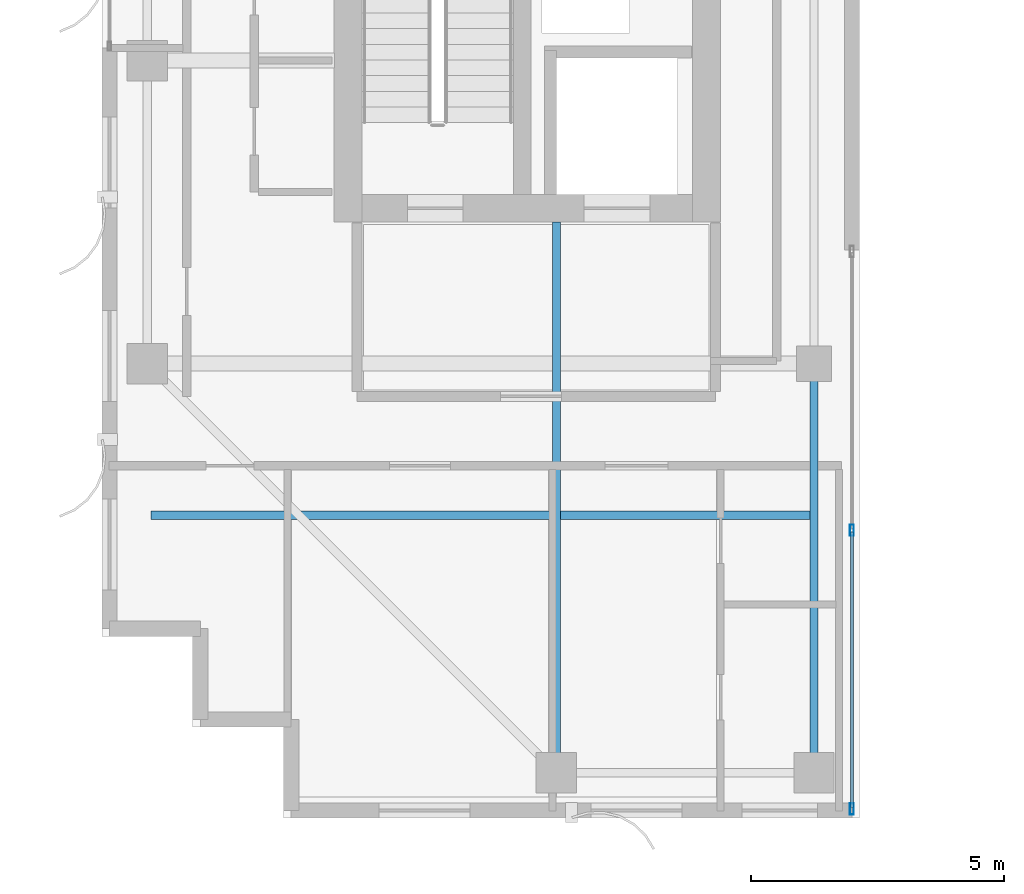
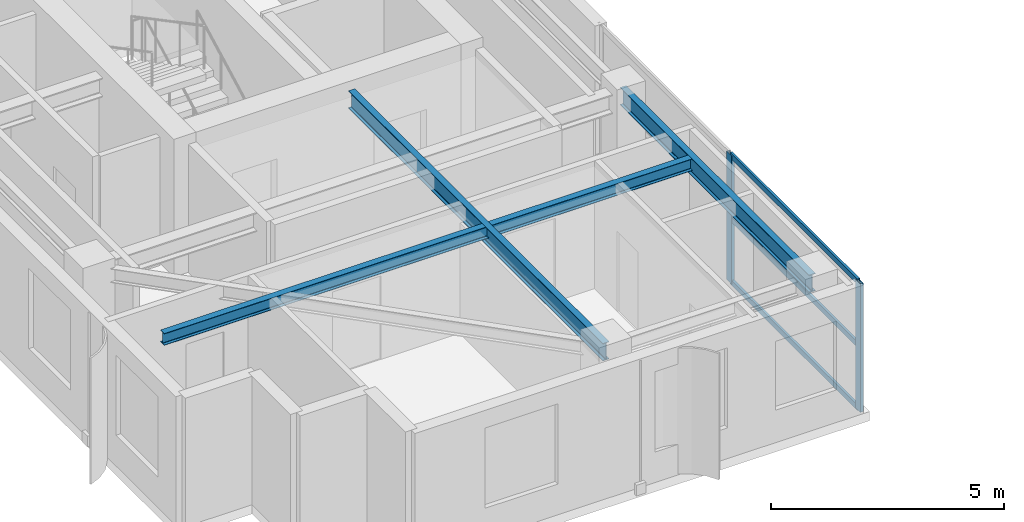
# One storey, part 2 of 24: 5 members, 3 beams, 1 element without a shape of its own.
"""IFC4 building model written with IfcOpenShell, lengths in metres."""

import ifcopenshell
import ifcopenshell.guid

model = None  # the IFC model being written
_history = None  # IfcOwnerHistory: only IFC2X3 demands one
_inside = {}  # id of a spatial element -> (the spatial element, [elements in it])
_under = {}  # id of a project, library or spatial element -> (it, [spatial elements below it])
_declared = {}  # id of a project -> (the project, [libraries it declares])
_typed = {}  # id of a type object -> (the type object, [elements of that type])
_made_of = {}  # id of a material, layer set ... -> (it, [elements and type objects made of it])


def new_model(schema):
    """Start an empty IFC model of exactly this schema.

    Asked for "IFC4X3", IfcOpenShell would pick the latest addendum, in which some entities
    have other attributes; the version numbers below select the first issue.
    IFC2X3 requires an IfcOwnerHistory on every rooted entity: one is made here for all.
    """
    global model, _history
    if schema == "IFC4X3":
        model = ifcopenshell.file(schema_version=(4, 3, 0, 0))
    else:
        model = ifcopenshell.file(schema=schema)
    _inside.clear()
    _under.clear()
    _declared.clear()
    _typed.clear()
    _made_of.clear()
    _history = None
    if model.schema == "IFC2X3":
        org = make("IfcOrganization", Name="unknown")
        user = make(
            "IfcPersonAndOrganization",
            ThePerson=make("IfcPerson", FamilyName="unknown"),
            TheOrganization=org,
        )
        app = make(
            "IfcApplication",
            ApplicationDeveloper=org,
            Version="unknown",
            ApplicationFullName="unknown",
            ApplicationIdentifier="unknown",
        )
        _history = make(
            "IfcOwnerHistory",
            OwningUser=user,
            OwningApplication=app,
            ChangeAction="ADDED",
            CreationDate=0,
        )
    return model


def make(cls, **values):
    """One entity of the class cls with the attributes given. An attribute that is None is left unset."""
    return model.create_entity(
        cls, **{name: value for name, value in values.items() if value is not None}
    )


def rooted(cls, **values):
    """An entity with a GlobalId (a new one), such as an element, a storey or a relation."""
    return make(cls, GlobalId=ifcopenshell.guid.new(), OwnerHistory=_history, **values)


def si_unit(unit_type, name, prefix=None):
    """IfcSIUnit, for example si_unit("LENGTHUNIT", "METRE", prefix="MILLI")."""
    return make("IfcSIUnit", UnitType=unit_type, Prefix=prefix, Name=name)


def assignment(units):
    """IfcUnitAssignment: the units of a project."""
    return None if units is None else make("IfcUnitAssignment", Units=units)


def point(xyz):
    """IfcCartesianPoint."""
    return None if xyz is None else make("IfcCartesianPoint", Coordinates=xyz)


def direction(xyz):
    """IfcDirection."""
    return None if xyz is None else make("IfcDirection", DirectionRatios=xyz)


def frame(location, z_axis=None, x_axis=None):
    """IfcAxis2Placement3D, a coordinate frame: its origin and axes. An axis left out is left unset."""
    return make(
        "IfcAxis2Placement3D",
        Location=point(location),
        Axis=direction(z_axis),
        RefDirection=direction(x_axis),
    )


def frame_2d(location, x_axis=None):
    """IfcAxis2Placement2D, a coordinate frame in the plane: its origin and x axis."""
    return make(
        "IfcAxis2Placement2D", Location=point(location), RefDirection=direction(x_axis)
    )


def origin():
    """The frame at (0, 0, 0) with its axes left unset."""
    return frame((0.0, 0.0, 0.0))


def origin_2d():
    """The frame at (0, 0) in the plane with its x axis left unset."""
    return frame_2d((0.0, 0.0))


def place(relative_to, where):
    """IfcLocalPlacement: puts the frame where relative to a parent placement (None: the world)."""
    return make(
        "IfcLocalPlacement", PlacementRelTo=relative_to, RelativePlacement=where
    )


def context(
    kind, dimensions, precision=None, world=None, true_north=None, identifier=None
):
    """IfcGeometricRepresentationContext, for example the 3D "Model" context."""
    return make(
        "IfcGeometricRepresentationContext",
        ContextIdentifier=identifier,
        ContextType=kind,
        CoordinateSpaceDimension=dimensions,
        Precision=precision,
        WorldCoordinateSystem=world,
        TrueNorth=true_north,
    )


def subcontext(parent, identifier, kind, view, scale=None):
    """IfcGeometricRepresentationSubContext, for example "Body" below "Model"."""
    return make(
        "IfcGeometricRepresentationSubContext",
        ContextIdentifier=identifier,
        ContextType=kind,
        ParentContext=parent,
        TargetScale=scale,
        TargetView=view,
    )


def project(units=None, contexts=None):
    """IfcProject with its units and contexts."""
    return rooted(
        "IfcProject",
        Name="project",
        RepresentationContexts=contexts,
        UnitsInContext=assignment(units),
    )


def spatial(cls, under=None, at=None, **own):
    """A site, building, storey or space (cls), placed at a placement, below another one or the project."""
    s = rooted(cls, ObjectPlacement=at, **own)
    if under is not None:
        _under.setdefault(under.id(), (under, []))[1].append(s)
    return s


def profile(cls, at=None, kind="AREA", **sizes):
    """A parametric profile (cls). Its sizes go by their IFC names, for example OverallWidth=200.0."""
    return make(cls, ProfileType=kind, Position=at, **sizes)


def hollow_rectangle(**sizes):
    """IfcRectangleHollowProfileDef."""
    return profile("IfcRectangleHollowProfileDef", **sizes)


def i_section(**sizes):
    """IfcIShapeProfileDef."""
    return profile("IfcIShapeProfileDef", **sizes)


def extrude(swept, where, along, depth):
    """IfcExtrudedAreaSolid: the profile swept, set in the frame where, extruded along a direction by depth."""
    return make(
        "IfcExtrudedAreaSolid",
        SweptArea=swept,
        Position=where,
        ExtrudedDirection=direction(along),
        Depth=depth,
    )


def shape(context_of_items, identifier, shape_type, items):
    """IfcShapeRepresentation: the items that make up one representation, for example the "Body"."""
    return make(
        "IfcShapeRepresentation",
        ContextOfItems=context_of_items,
        RepresentationIdentifier=identifier,
        RepresentationType=shape_type,
        Items=items,
    )


def source(mapping_origin, context_of_items, identifier, shape_type, items):
    """IfcRepresentationMap: a shape defined once, which mapped items show again and again."""
    return make(
        "IfcRepresentationMap",
        MappingOrigin=mapping_origin,
        MappedRepresentation=shape(context_of_items, identifier, shape_type, items),
    )


def transform(
    local_origin,
    x_axis=None,
    y_axis=None,
    z_axis=None,
    scale=None,
    scale2=None,
    scale3=None,
    uniform=True,
):
    """IfcCartesianTransformationOperator3D, or its non-uniform kind. x_axis, y_axis, z_axis: its Axis1, 2, 3."""
    if uniform:
        return make(
            "IfcCartesianTransformationOperator3D",
            Axis1=direction(x_axis),
            Axis2=direction(y_axis),
            LocalOrigin=point(local_origin),
            Scale=scale,
            Axis3=direction(z_axis),
        )
    return make(
        "IfcCartesianTransformationOperator3DnonUniform",
        Axis1=direction(x_axis),
        Axis2=direction(y_axis),
        LocalOrigin=point(local_origin),
        Scale=scale,
        Axis3=direction(z_axis),
        Scale2=scale2,
        Scale3=scale3,
    )


def mapped(mapping_source, mapping_target):
    """IfcMappedItem: shows the shape of a source again, moved by a transform."""
    return make(
        "IfcMappedItem", MappingSource=mapping_source, MappingTarget=mapping_target
    )


def material(Name=None, Category=None):
    """IfcMaterial."""
    return make("IfcMaterial", Name=Name, Category=Category)


def layer(
    of_material, thickness, ventilated=None, Name=None, Category=None, Priority=None
):
    """IfcMaterialLayer: one layer of a wall or slab, of a material (None: an air gap)."""
    return make(
        "IfcMaterialLayer",
        Material=of_material,
        LayerThickness=thickness,
        IsVentilated=ventilated,
        Name=Name,
        Category=Category,
        Priority=Priority,
    )


def layer_set(layers, Name=None):
    """IfcMaterialLayerSet."""
    return make("IfcMaterialLayerSet", MaterialLayers=layers, LayerSetName=Name)


def material_profile(
    of_material, cross_section, Name=None, Category=None, Priority=None
):
    """IfcMaterialProfile: a cross section and its material."""
    return make(
        "IfcMaterialProfile",
        Name=Name,
        Material=of_material,
        Profile=cross_section,
        Priority=Priority,
        Category=Category,
    )


def profile_set(profiles, Name=None, composite=None):
    """IfcMaterialProfileSet."""
    return make(
        "IfcMaterialProfileSet",
        Name=Name,
        MaterialProfiles=profiles,
        CompositeProfile=composite,
    )


def made_of(thing, what):
    """Note that an element or type object is made of a material, layer set ...; save() writes the relation."""
    if what is not None:
        _made_of.setdefault(what.id(), (what, []))[1].append(thing)
    return thing


def type_object(cls, material=None, **own):
    """A type object (cls), such as IfcWallType, which elements share."""
    return made_of(rooted(cls, **own), material)


def element(
    cls,
    number,
    at=None,
    inside=None,
    cuts=None,
    type_object=None,
    material=None,
    context=None,
    identifier="Body",
    shape_type=None,
    held_by="IfcProductDefinitionShape",
    body=None,
    shapes=None,
    **own,
):
    """One element of the class cls, such as IfcWall. Its Tag is "e" and its number.

    at: its placement. inside: the storey or other place that contains it. cuts: it is an
    opening in that element (IfcRelVoidsElement). A single representation is given by context,
    identifier, shape_type and body (its items); several are given by shapes. held_by: the class
    of the entity that holds the representations. save() writes the other relations.
    """
    e = rooted(cls, Tag="e%d" % number, ObjectPlacement=at, **own)
    if body is not None:
        shapes = [shape(context, identifier, shape_type, body)]
    if shapes is not None:
        e.Representation = make(held_by, Representations=shapes)
    if inside is not None:
        _inside.setdefault(inside.id(), (inside, []))[1].append(e)
    if cuts is not None:
        rooted(
            "IfcRelVoidsElement", RelatingBuildingElement=cuts, RelatedOpeningElement=e
        )
    if type_object is not None:
        _typed.setdefault(type_object.id(), (type_object, []))[1].append(e)
    return made_of(e, material)


def aggregate(whole, parts):
    """IfcRelAggregates: a whole, such as a stair, and the parts it consists of."""
    return rooted("IfcRelAggregates", RelatingObject=whole, RelatedObjects=parts)


def save(model, path):
    """Write the relations noted so far, then the file.

    IfcRelAggregates (storeys below a building ...), IfcRelContainedInSpatialStructure (elements
    in a storey), IfcRelDefinesByType, IfcRelAssociatesMaterial and IfcRelDeclares: one each for
    every whole, place, type object, material and project.
    """
    for whole, parts in _under.values():
        aggregate(whole, parts)
    for where, things in _inside.values():
        rooted(
            "IfcRelContainedInSpatialStructure",
            RelatedElements=things,
            RelatingStructure=where,
        )
    for kind, things in _typed.values():
        rooted("IfcRelDefinesByType", RelatedObjects=things, RelatingType=kind)
    for what, things in _made_of.values():
        rooted("IfcRelAssociatesMaterial", RelatedObjects=things, RelatingMaterial=what)
    for by, libraries in _declared.values():
        rooted("IfcRelDeclares", RelatingContext=by, RelatedDefinitions=libraries)
    model.write(path)


model = new_model("IFC4")

# Units and contexts
model_context = context("Model", 3, precision=1e-05, world=origin(), true_north=direction((0.0, 1.0)))
body_context = subcontext(model_context, "Body", "Model", "MODEL_VIEW")
ifc_project = project(units=[si_unit("LENGTHUNIT", "METRE"), si_unit("AREAUNIT", "SQUARE_METRE"), si_unit("VOLUMEUNIT", "CUBIC_METRE"), si_unit("PLANEANGLEUNIT", "RADIAN"), si_unit("MASSUNIT", "GRAM", prefix="KILO")], contexts=[model_context])

# Site, building, storey
site_placement = place(None, origin())
site = spatial("IfcSite", under=ifc_project, at=site_placement, CompositionType="ELEMENT")
building_placement = place(site_placement, origin())
building = spatial("IfcBuilding", under=site, at=building_placement, Name="Khoralis Quay Care Tower", CompositionType="ELEMENT")
storey_placement = place(building_placement, frame((0.0, 0.0, 234.89990234375)))
storey = spatial("IfcBuildingStorey", under=building, at=storey_placement, Name="L61", CompositionType="ELEMENT", Elevation=234.89990234375)

# Beams
ifc_material_1 = material(Name="Steel S355", Category="steel")
ifc_material_profile_1 = material_profile(ifc_material_1, i_section(OverallWidth=0.1650390625, OverallDepth=0.31005859375, WebThickness=0.005859375, FlangeThickness=0.009765625, FilletRadius=0.011962890625, at=origin_2d()), Name="Steel S355")
ifc_profile_set_1 = profile_set([ifc_material_profile_1], Name="Steel S355")
beam_type_1 = type_object("IfcBeamType", Name="BM-W310X39", PredefinedType="JOIST", material=ifc_profile_set_1)
shared_shape_1 = source(origin(), body_context, "Body", "SweptSolid", [
    extrude(i_section(OverallWidth=0.1650390625, OverallDepth=0.31005859375, WebThickness=0.005859375, FlangeThickness=0.009765625, FilletRadius=0.011962890625, at=origin_2d()), origin(), (0.0, 0.0, 1.0), 13.06396484375),
])
beam_1_placement = place(storey_placement, frame((3.970947265625, 9.0, 3.205078125), z_axis=(1.0, 0.0, 0.0), x_axis=(0.0, 1.0, 0.0)))
element("IfcBeam", 1, at=beam_1_placement, inside=storey, type_object=beam_type_1, Name="BM-TJS-L61-17", PredefinedType="JOIST", context=body_context, shape_type="MappedRepresentation", body=[
    mapped(shared_shape_1, transform((0.0, 0.0, 0.0), scale=1.0)),
])
ifc_material_profile_2 = material_profile(ifc_material_1, i_section(OverallWidth=0.154052734375, OverallDepth=0.458984375, WebThickness=0.009033203125, FlangeThickness=0.015380859375, FilletRadius=0.014892578125, at=origin_2d()), Name="Steel S355")
ifc_profile_set_2 = profile_set([ifc_material_profile_2], Name="Steel S355")
beam_type_2 = type_object("IfcBeamType", Name="BM-W460X68", PredefinedType="BEAM", material=ifc_profile_set_2)
shared_shape_2 = source(origin(), body_context, "Body", "SweptSolid", [
    extrude(i_section(OverallWidth=0.154052734375, OverallDepth=0.458984375, WebThickness=0.009033203125, FlangeThickness=0.015380859375, FilletRadius=0.014892578125, at=origin_2d()), origin(), (0.0, 0.0, 1.0), 10.902099609375),
])
beam_2_placement = place(storey_placement, frame((12.0, 3.89990234375, 3.130615234375), z_axis=(0.0, 1.0, 0.0), x_axis=(-1.0, 0.0, 0.0)))
element("IfcBeam", 2, at=beam_2_placement, inside=storey, type_object=beam_type_2, Name="BM-TGYS-L61-120", PredefinedType="BEAM", context=body_context, shape_type="MappedRepresentation", body=[
    mapped(shared_shape_2, transform((0.0, 0.0, 0.0), scale=1.0)),
])
shared_shape_3 = source(origin(), body_context, "Body", "SweptSolid", [
    extrude(i_section(OverallWidth=0.154052734375, OverallDepth=0.458984375, WebThickness=0.009033203125, FlangeThickness=0.015380859375, FilletRadius=0.014892578125, at=origin_2d()), origin(), (0.0, 0.0, 1.0), 8.10009765625),
])
beam_3_placement = place(storey_placement, frame((17.10009765625, 3.89990234375, 3.130615234375), z_axis=(0.0, 1.0, 0.0), x_axis=(-1.0, 0.0, 0.0)))
element("IfcBeam", 3, at=beam_3_placement, inside=storey, type_object=beam_type_2, Name="BM-TGYS-L61-171", PredefinedType="BEAM", context=body_context, shape_type="MappedRepresentation", body=[
    mapped(shared_shape_3, transform((0.0, 0.0, 0.0), scale=1.0)),
])

# Curtain wall, members
ifc_material_2 = material(Name="Pale anodised aluminium", Category="aluminium")
ifc_layer = layer(ifc_material_2, 0.18994140625)
ifc_layer_set = layer_set([ifc_layer], Name="Pale anodised aluminium")
curtain_wall_type = type_object("IfcCurtainWallType", Name="CW-SYS-PORTAL", PredefinedType="NOTDEFINED", material=ifc_layer_set)
curtain_wall_placement = place(storey_placement, origin())
curtain_wall = element("IfcCurtainWall", 4, at=curtain_wall_placement, inside=storey, type_object=curtain_wall_type, Name="L61 Unitised Curtain Wall CW-VP-L61-P1-S", PredefinedType="NOTDEFINED")
ifc_material_profile_3 = material_profile(ifc_material_2, hollow_rectangle(XDim=0.074951171875, YDim=0.219970703125, WallThickness=0.00390625, at=origin_2d()), Name="Pale anodised aluminium")
ifc_profile_set_3 = profile_set([ifc_material_profile_3], Name="Pale anodised aluminium")
member_type_1 = type_object("IfcMemberType", Name="CW-MUL-220", PredefinedType="MULLION", material=ifc_profile_set_3)
shared_shape_4 = source(origin(), body_context, "Body", "SweptSolid", [
    extrude(hollow_rectangle(XDim=0.074951171875, YDim=0.219970703125, WallThickness=0.00390625, at=origin_2d()), origin(), (0.0, 0.0, 1.0), 3.360107421875),
])
member_1_placement = place(storey_placement, frame((17.85009765625, 3.179931640625, 0.0), z_axis=(0.0, 0.0, 1.0), x_axis=(-1.0, 0.0, 0.0)))
member_1 = element("IfcMember", 5, at=member_1_placement, type_object=member_type_1, Name="CW4 mullion 1", PredefinedType="MULLION", context=body_context, shape_type="MappedRepresentation", body=[
    mapped(shared_shape_4, transform((0.0, 0.0, 0.0), scale=1.0)),
])
member_2_placement = place(storey_placement, frame((17.85009765625, 8.699951171875, 0.0), z_axis=(0.0, 0.0, 1.0), x_axis=(-1.0, 0.0, 0.0)))
member_2 = element("IfcMember", 6, at=member_2_placement, type_object=member_type_1, Name="CW4 mullion 2", PredefinedType="MULLION", context=body_context, shape_type="MappedRepresentation", body=[
    mapped(shared_shape_4, transform((0.0, 0.0, 0.0), scale=1.0)),
])
ifc_material_profile_4 = material_profile(ifc_material_2, hollow_rectangle(XDim=0.06005859375, YDim=0.139892578125, WallThickness=0.00390625, at=origin_2d()), Name="Pale anodised aluminium")
ifc_profile_set_4 = profile_set([ifc_material_profile_4], Name="Pale anodised aluminium")
member_type_2 = type_object("IfcMemberType", Name="CW-TRN-140", PredefinedType="USERDEFINED", material=ifc_profile_set_4)
shared_shape_5 = source(origin(), body_context, "Body", "SweptSolid", [
    extrude(hollow_rectangle(XDim=0.06005859375, YDim=0.139892578125, WallThickness=0.00390625, at=origin_2d()), origin(), (0.0, 0.0, 1.0), 5.4599609375),
])
member_3_placement = place(storey_placement, frame((17.85009765625, 3.2099609375, 0.030029296875), z_axis=(0.0, 1.0, 0.0), x_axis=(-1.0, 0.0, 0.0)))
member_3 = element("IfcMember", 7, at=member_3_placement, type_object=member_type_2, Name="CW4 transom 1.1", ObjectType="TRANSOM", PredefinedType="USERDEFINED", context=body_context, shape_type="MappedRepresentation", body=[
    mapped(shared_shape_5, transform((0.0, 0.0, 0.0), scale=1.0)),
])
member_4_placement = place(storey_placement, frame((17.85009765625, 3.2099609375, 1.68017578125), z_axis=(0.0, 1.0, 0.0), x_axis=(-1.0, 0.0, 0.0)))
member_4 = element("IfcMember", 8, at=member_4_placement, type_object=member_type_2, Name="CW4 transom 1.2", ObjectType="TRANSOM", PredefinedType="USERDEFINED", context=body_context, shape_type="MappedRepresentation", body=[
    mapped(shared_shape_5, transform((0.0, 0.0, 0.0), scale=1.0)),
])
member_5_placement = place(storey_placement, frame((17.85009765625, 3.2099609375, 3.330078125), z_axis=(0.0, 1.0, 0.0), x_axis=(-1.0, 0.0, 0.0)))
member_5 = element("IfcMember", 9, at=member_5_placement, type_object=member_type_2, Name="CW4 transom 1.3", ObjectType="TRANSOM", PredefinedType="USERDEFINED", context=body_context, shape_type="MappedRepresentation", body=[
    mapped(shared_shape_5, transform((0.0, 0.0, 0.0), scale=1.0)),
])
aggregate(curtain_wall, [member_1, member_2, member_3, member_4, member_5])

save(model, "model.ifc")
